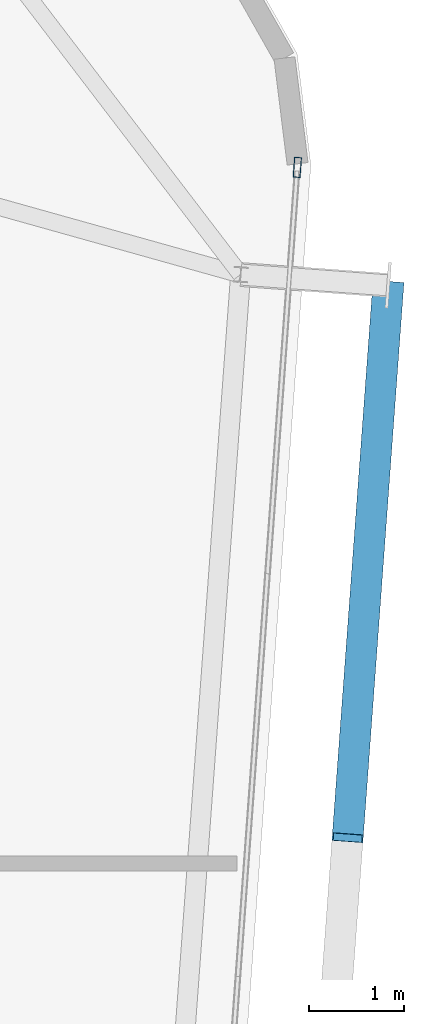
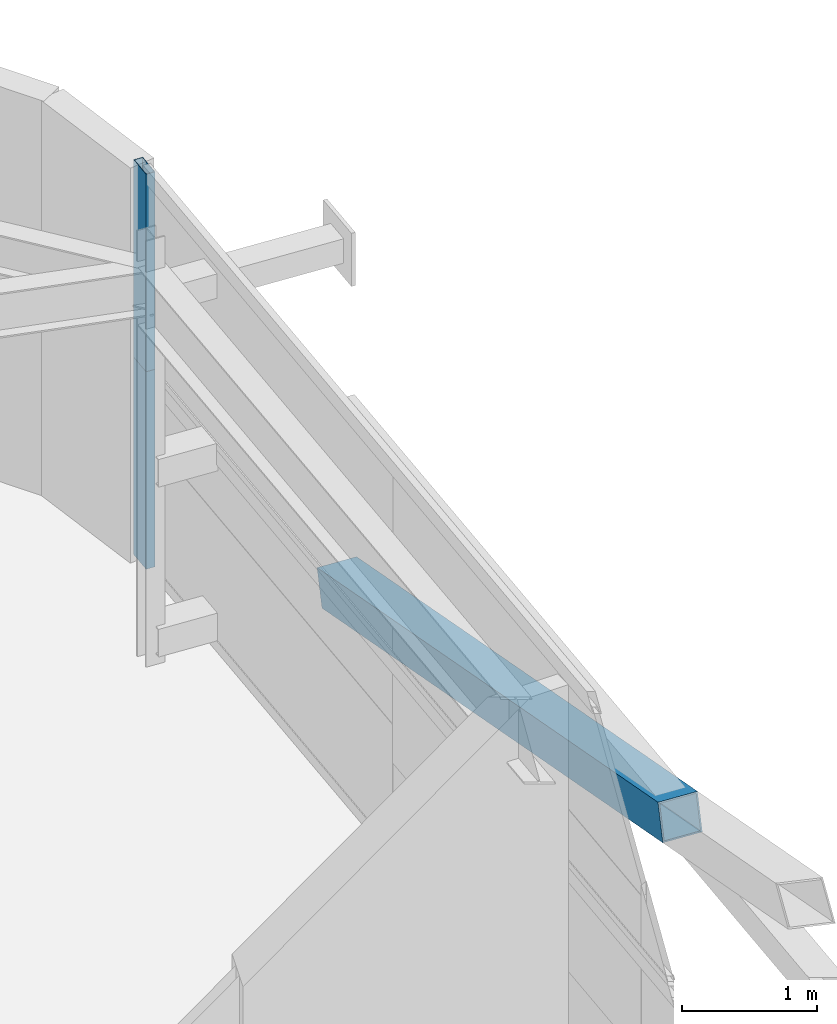
# One storey, part 19 of 35: 3 members, 2 elements without a shape of their own.
"""IFC4 building model written with IfcOpenShell, lengths in metres."""

from ifc_helpers import new_model, si_unit, direction, frame, origin, origin_2d, place, context, subcontext, project, spatial, hollow_rectangle, extrude, source, transform, mapped, material, layer, layer_set, material_profile, profile_set, type_object, element, aggregate, save


model = new_model("IFC4")

# Units and contexts
model_context = context("Model", 3, precision=1e-05, world=origin(), true_north=direction((0.0, 1.0)))
body_context = subcontext(model_context, "Body", "Model", "MODEL_VIEW")
ifc_project = project(units=[si_unit("LENGTHUNIT", "METRE"), si_unit("AREAUNIT", "SQUARE_METRE"), si_unit("VOLUMEUNIT", "CUBIC_METRE"), si_unit("PLANEANGLEUNIT", "RADIAN"), si_unit("MASSUNIT", "GRAM", prefix="KILO")], contexts=[model_context])

# Site, building, storey
site_placement = place(None, origin())
site = spatial("IfcSite", under=ifc_project, at=site_placement, CompositionType="ELEMENT")
building_placement = place(site_placement, origin())
building = spatial("IfcBuilding", under=site, at=building_placement, Name="Taldren Reach Tower", CompositionType="ELEMENT")
storey_placement = place(building_placement, frame((0.0, 0.0, 249.199951171875)))
storey = spatial("IfcBuildingStorey", under=building, at=storey_placement, Name="L76", CompositionType="ELEMENT", Elevation=249.199951171875)

# Member
ifc_material_1 = material(Name="Steel Gr 450 (C450L0)", Category="steel")
ifc_material_profile_1 = material_profile(ifc_material_1, hollow_rectangle(XDim=0.324951171875, YDim=0.324951171875, WallThickness=0.0126953125, at=origin_2d()), Name="325x325x12.7SHS")
ifc_profile_set_1 = profile_set([ifc_material_profile_1], Name="Steel Gr 450 (C450L0)")
member_type_1 = type_object("IfcMemberType", Name="MB-BR324", PredefinedType="BRACE", material=ifc_profile_set_1)
shared_shape_1 = source(origin(), body_context, "Body", "SweptSolid", [
    extrude(hollow_rectangle(XDim=0.324951171875, YDim=0.324951171875, WallThickness=0.0126953125, at=origin_2d()), origin(), (0.0, 0.0, 1.0), 5.999755859375),
])
member_1_placement = place(storey_placement, frame((59.086669921875, 30.05517578125, 0.219970703125), z_axis=(-0.070804004127, -0.964114522864, 0.255871021811), x_axis=(0.997314185625, -0.073242167855, 0.0)))
element("IfcMember", 1, at=member_1_placement, inside=storey, type_object=member_type_1, Name="Exoskeleton Diagrid Brace B5-E2 L76", PredefinedType="BRACE", context=body_context, shape_type="MappedRepresentation", body=[
    mapped(shared_shape_1, transform((0.0, 0.0, 0.0), scale=1.0)),
])

# Curtain wall, member
ifc_material_2 = material(Name="Aluminium and Low-E Glass Unitised System", Category="aluminium")
ifc_layer = layer(ifc_material_2, 0.159912109375)
ifc_layer_set = layer_set([ifc_layer], Name="Aluminium and Low-E Glass Unitised System")
curtain_wall_type = type_object("IfcCurtainWallType", Name="CW-SYS-6", PredefinedType="NOTDEFINED", material=ifc_layer_set)
curtain_wall_1_placement = place(storey_placement, origin())
curtain_wall_1 = element("IfcCurtainWall", 2, at=curtain_wall_1_placement, inside=storey, type_object=curtain_wall_type, Name="Unitised curtain wall CW-L76-E", PredefinedType="NOTDEFINED")
ifc_material_3 = material(Name="Anodised Aluminium 6063-T6", Category="aluminium")
ifc_material_profile_2 = material_profile(ifc_material_3, hollow_rectangle(XDim=0.074951171875, YDim=0.2099609375, WallThickness=0.00439453125, at=origin_2d()), Name="ALU-210x75x4.5RHS")
ifc_profile_set_2 = profile_set([ifc_material_profile_2], Name="Anodised Aluminium 6063-T6")
member_type_2 = type_object("IfcMemberType", Name="CW-MUL-200", PredefinedType="MULLION", material=ifc_profile_set_2)
shared_shape_2 = source(origin(), body_context, "Body", "SweptSolid", [
    extrude(hollow_rectangle(XDim=0.074951171875, YDim=0.2099609375, WallThickness=0.00439453125, at=origin_2d()), origin(), (0.0, 0.0, 1.0), 1.78515625),
])
member_2_placement = place(storey_placement, frame((58.134765625, 31.29052734375, 0.0), z_axis=(0.0, 0.0, 1.0), x_axis=(-0.997314470951, 0.073238282558, 0.0)))
member_2 = element("IfcMember", 3, at=member_2_placement, type_object=member_type_2, Name="CW-6 mullion 3", PredefinedType="MULLION", context=body_context, shape_type="MappedRepresentation", body=[
    mapped(shared_shape_2, transform((0.0, 0.0, 0.0), scale=1.0)),
])
aggregate(curtain_wall_1, [member_2])

curtain_wall_2_placement = place(storey_placement, origin())
curtain_wall_2 = element("IfcCurtainWall", 4, at=curtain_wall_2_placement, inside=storey, type_object=curtain_wall_type, Name="Unitised curtain wall CW-L76-E-T2", PredefinedType="NOTDEFINED")
shared_shape_3 = source(origin(), body_context, "Body", "SweptSolid", [
    extrude(hollow_rectangle(XDim=0.074951171875, YDim=0.2099609375, WallThickness=0.00439453125, at=origin_2d()), origin(), (0.0, 0.0, 1.0), 1.784912109375),
])
member_3_placement = place(storey_placement, frame((58.134765625, 31.29052734375, 1.78515625), z_axis=(0.0, 0.0, 1.0), x_axis=(-0.997314470951, 0.073238282558, 0.0)))
member_3 = element("IfcMember", 5, at=member_3_placement, type_object=member_type_2, Name="CW-6 mullion 3", PredefinedType="MULLION", context=body_context, shape_type="MappedRepresentation", body=[
    mapped(shared_shape_3, transform((0.0, 0.0, 0.0), scale=1.0)),
])
aggregate(curtain_wall_2, [member_3])

save(model, "model.ifc")
